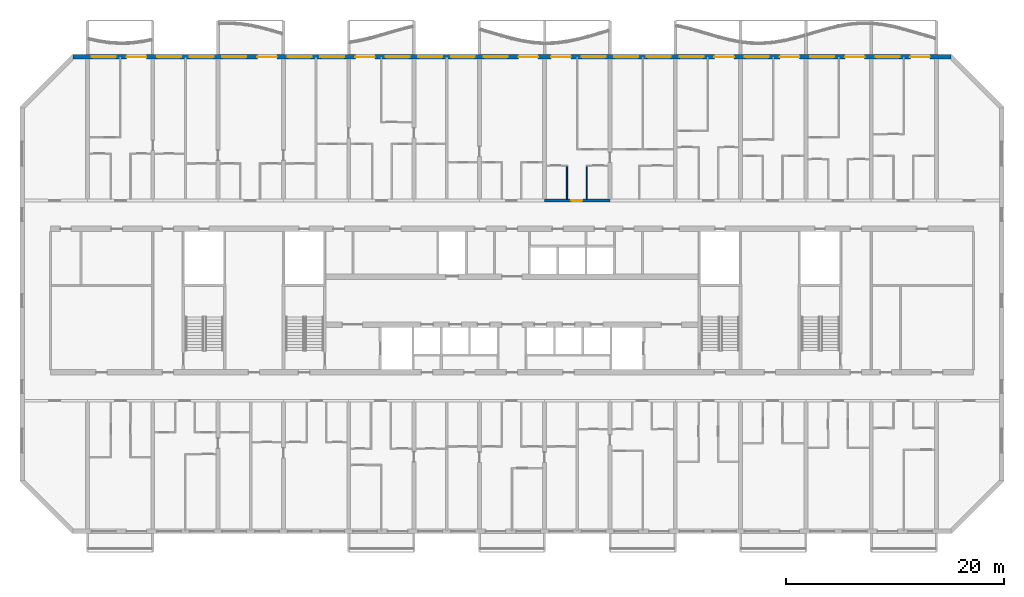
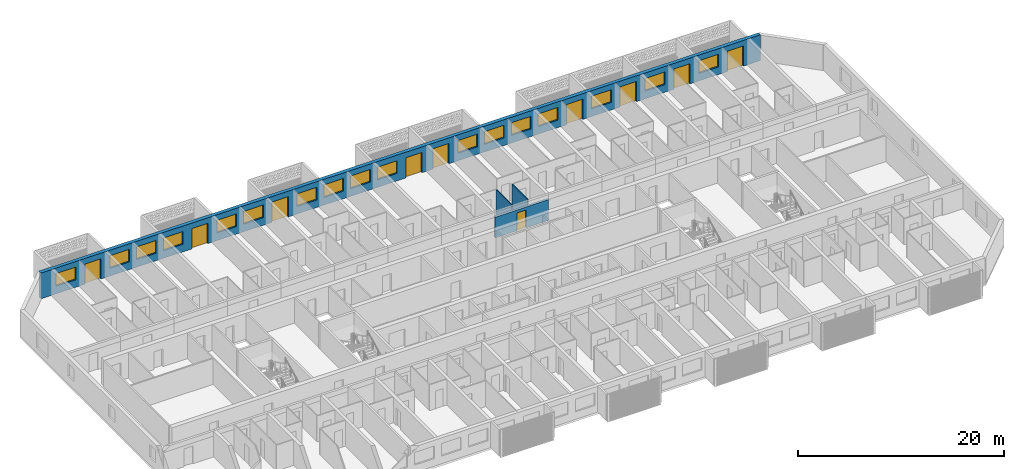
# One storey, part 12 of 26: 17 windows, 10 doors, 4 walls, 27 openings.
"""IFC4 building model written with IfcOpenShell, lengths in metres."""

from ifc_helpers import new_model, si_unit, direction, frame, frame_2d, origin, place, context, subcontext, project, spatial, rectangle, extrude, material, layer, layer_set, type_object, element, fill, save


model = new_model("IFC4")

# Units and contexts
model_context = context("Model", 3, precision=1e-05, world=origin(), true_north=direction((0.0, 1.0)))
body_context = subcontext(model_context, "Body", "Model", "MODEL_VIEW")
ifc_project = project(units=[si_unit("LENGTHUNIT", "METRE"), si_unit("AREAUNIT", "SQUARE_METRE"), si_unit("VOLUMEUNIT", "CUBIC_METRE"), si_unit("PLANEANGLEUNIT", "RADIAN"), si_unit("MASSUNIT", "GRAM", prefix="KILO")], contexts=[model_context])

# Site, building, storey
site_placement = place(None, origin())
site = spatial("IfcSite", under=ifc_project, at=site_placement, CompositionType="ELEMENT")
building_placement = place(site_placement, origin())
building = spatial("IfcBuilding", under=site, at=building_placement, Name="Poui Terraces", CompositionType="ELEMENT")
storey_placement = place(building_placement, frame((0.0, 0.0, 96.0)))
storey = spatial("IfcBuildingStorey", under=building, at=storey_placement, Name="L26", CompositionType="ELEMENT", Elevation=96.0)

# Wall, opening, door
ifc_material_1 = material(Name="Concrete 65 MPa", Category="concrete")
ifc_layer_1 = layer(ifc_material_1, 0.25)
ifc_layer_set_1 = layer_set([ifc_layer_1], Name="Concrete 65 MPa")
wall_type_1 = type_object("IfcWallType", Name="CORRIDOR WALL 250 65MPa", PredefinedType="SHEAR", material=ifc_layer_set_1)
wall_1_placement = place(storey_placement, frame((54.0, 30.39990234375, 0.0), z_axis=(0.0, 0.0, 1.0), x_axis=(1.0, 0.0, 0.0)))
wall_1 = element("IfcWall", 1, at=wall_1_placement, inside=storey, type_object=wall_type_1, Name="CORRIDOR WALL LINE E BAY 9", PredefinedType="SHEAR", context=body_context, shape_type="SweptSolid", body=[
    extrude(rectangle(XDim=6.0, YDim=0.25, at=frame_2d((3.0, 0.0))), origin(), (0.0, 0.0, 1.0), 2.4599609375),
])
opening_1_placement = place(wall_1_placement, frame((2.449951171875, 0.0, 0.0)))
opening_1 = element("IfcOpeningElement", 2, at=opening_1_placement, cuts=wall_1, Name="Opening FD30S", PredefinedType="OPENING", context=body_context, shape_type="SweptSolid", body=[
    extrude(rectangle(XDim=1.0, YDim=2.10009765625, at=frame_2d((0.5, 1.050048828125))), frame((0.0, 0.135009765625, 0.0), z_axis=(0.0, -1.0, 0.0), x_axis=(1.0, 0.0, 0.0)), (0.0, 0.0, 1.0), 0.27001953125),
])
ifc_material_2 = material(Name="Steel fire door", Category="steel")
door_type_1 = type_object("IfcDoorType", Name="FLAT ENTRANCE DOOR 1000 X 2100", OperationType="NOTDEFINED", PredefinedType="DOOR", material=ifc_material_2)
door_1_placement = place(opening_1_placement, origin())
door_1 = element("IfcDoor", 3, at=door_1_placement, inside=storey, type_object=door_type_1, Name="FLAT ENTRANCE DOOR 062", OperationType="SINGLE_SWING_LEFT", OverallHeight=2.10009765625, OverallWidth=1.0, PredefinedType="DOOR", context=body_context, shape_type="SweptSolid", body=[
    extrude(rectangle(XDim=1.0, YDim=2.10009765625, at=frame_2d((0.5, 1.050048828125))), frame((0.0, 0.02490234375, 0.0), z_axis=(0.0, -1.0, 0.0), x_axis=(1.0, 0.0, 0.0)), (0.0, 0.0, 1.0), 0.050048828125),
])
fill(opening_1, door_1)

# Wall, openings, doors, windows
ifc_material_3 = material(Name="Precast concrete 40 MPa", Category="concrete")
ifc_layer_2 = layer(ifc_material_3, 0.39990234375)
ifc_layer_set_2 = layer_set([ifc_layer_2], Name="Precast concrete 40 MPa")
wall_type_2 = type_object("IfcWallType", Name="EXTERNAL WALL 400", PredefinedType="STANDARD", material=ifc_layer_set_2)
wall_2_placement = place(storey_placement, frame((91.317138671875, 43.60009765625, 0.0), z_axis=(0.0, 0.0, 1.0), x_axis=(-1.0, 0.0, 0.0)))
wall_2 = element("IfcWall", 4, at=wall_2_placement, inside=storey, type_object=wall_type_2, Name="EXTERNAL WALL N", PredefinedType="STANDARD", context=body_context, shape_type="SweptSolid", body=[
    extrude(rectangle(XDim=80.63427734375, YDim=0.39990234375, at=frame_2d((40.317138671875, 0.0))), origin(), (0.0, 0.0, 1.0), 3.06005859375),
])
opening_2_placement = place(wall_2_placement, frame((76.71728515625, 0.0, 0.89990234375)))
opening_2 = element("IfcOpeningElement", 5, at=opening_2_placement, cuts=wall_2, Name="Opening W1", PredefinedType="OPENING", context=body_context, shape_type="SweptSolid", body=[
    extrude(rectangle(XDim=2.199951171875, YDim=1.5, at=frame_2d((1.10009765625, 0.75))), frame((0.0, 0.2099609375, 0.0), z_axis=(0.0, -1.0, 0.0), x_axis=(1.0, 0.0, 0.0)), (0.0, 0.0, 1.0), 0.419921875),
])
opening_3_placement = place(wall_2_placement, frame((73.917236328125, 0.0, 0.0)))
opening_3 = element("IfcOpeningElement", 6, at=opening_3_placement, cuts=wall_2, Name="Opening BD1", PredefinedType="OPENING", context=body_context, shape_type="SweptSolid", body=[
    extrude(rectangle(XDim=1.800048828125, YDim=2.39990234375, at=frame_2d((0.89990234375, 1.199951171875))), frame((0.0, 0.2099609375, 0.0), z_axis=(0.0, -1.0, 0.0), x_axis=(1.0, 0.0, 0.0)), (0.0, 0.0, 1.0), 0.419921875),
])
opening_4_placement = place(wall_2_placement, frame((70.71728515625, 0.0, 0.89990234375)))
opening_4 = element("IfcOpeningElement", 7, at=opening_4_placement, cuts=wall_2, Name="Opening W1", PredefinedType="OPENING", context=body_context, shape_type="SweptSolid", body=[
    extrude(rectangle(XDim=2.199951171875, YDim=1.5, at=frame_2d((1.10009765625, 0.75))), frame((0.0, 0.2099609375, 0.0), z_axis=(0.0, -1.0, 0.0), x_axis=(1.0, 0.0, 0.0)), (0.0, 0.0, 1.0), 0.419921875),
])
opening_5_placement = place(wall_2_placement, frame((67.71728515625, 0.0, 0.89990234375)))
opening_5 = element("IfcOpeningElement", 8, at=opening_5_placement, cuts=wall_2, Name="Opening W1", PredefinedType="OPENING", context=body_context, shape_type="SweptSolid", body=[
    extrude(rectangle(XDim=2.199951171875, YDim=1.5, at=frame_2d((1.10009765625, 0.75))), frame((0.0, 0.2099609375, 0.0), z_axis=(0.0, -1.0, 0.0), x_axis=(1.0, 0.0, 0.0)), (0.0, 0.0, 1.0), 0.419921875),
])
opening_6_placement = place(wall_2_placement, frame((64.71728515625, 0.0, 0.89990234375)))
opening_6 = element("IfcOpeningElement", 9, at=opening_6_placement, cuts=wall_2, Name="Opening W1", PredefinedType="OPENING", context=body_context, shape_type="SweptSolid", body=[
    extrude(rectangle(XDim=2.199951171875, YDim=1.5, at=frame_2d((1.10009765625, 0.75))), frame((0.0, 0.2099609375, 0.0), z_axis=(0.0, -1.0, 0.0), x_axis=(1.0, 0.0, 0.0)), (0.0, 0.0, 1.0), 0.419921875),
])
opening_7_placement = place(wall_2_placement, frame((61.917236328125, 0.0, 0.0)))
opening_7 = element("IfcOpeningElement", 10, at=opening_7_placement, cuts=wall_2, Name="Opening BD1", PredefinedType="OPENING", context=body_context, shape_type="SweptSolid", body=[
    extrude(rectangle(XDim=1.800048828125, YDim=2.39990234375, at=frame_2d((0.89990234375, 1.199951171875))), frame((0.0, 0.2099609375, 0.0), z_axis=(0.0, -1.0, 0.0), x_axis=(1.0, 0.0, 0.0)), (0.0, 0.0, 1.0), 0.419921875),
])
opening_8_placement = place(wall_2_placement, frame((58.71728515625, 0.0, 0.89990234375)))
opening_8 = element("IfcOpeningElement", 11, at=opening_8_placement, cuts=wall_2, Name="Opening W1", PredefinedType="OPENING", context=body_context, shape_type="SweptSolid", body=[
    extrude(rectangle(XDim=2.199951171875, YDim=1.5, at=frame_2d((1.10009765625, 0.75))), frame((0.0, 0.2099609375, 0.0), z_axis=(0.0, -1.0, 0.0), x_axis=(1.0, 0.0, 0.0)), (0.0, 0.0, 1.0), 0.419921875),
])
opening_9_placement = place(wall_2_placement, frame((55.71728515625, 0.0, 0.89990234375)))
opening_9 = element("IfcOpeningElement", 12, at=opening_9_placement, cuts=wall_2, Name="Opening W1", PredefinedType="OPENING", context=body_context, shape_type="SweptSolid", body=[
    extrude(rectangle(XDim=2.199951171875, YDim=1.5, at=frame_2d((1.10009765625, 0.75))), frame((0.0, 0.2099609375, 0.0), z_axis=(0.0, -1.0, 0.0), x_axis=(1.0, 0.0, 0.0)), (0.0, 0.0, 1.0), 0.419921875),
])
opening_10_placement = place(wall_2_placement, frame((52.917236328125, 0.0, 0.0)))
opening_10 = element("IfcOpeningElement", 13, at=opening_10_placement, cuts=wall_2, Name="Opening BD1", PredefinedType="OPENING", context=body_context, shape_type="SweptSolid", body=[
    extrude(rectangle(XDim=1.800048828125, YDim=2.39990234375, at=frame_2d((0.89990234375, 1.199951171875))), frame((0.0, 0.2099609375, 0.0), z_axis=(0.0, -1.0, 0.0), x_axis=(1.0, 0.0, 0.0)), (0.0, 0.0, 1.0), 0.419921875),
])
opening_11_placement = place(wall_2_placement, frame((49.71728515625, 0.0, 0.89990234375)))
opening_11 = element("IfcOpeningElement", 14, at=opening_11_placement, cuts=wall_2, Name="Opening W1", PredefinedType="OPENING", context=body_context, shape_type="SweptSolid", body=[
    extrude(rectangle(XDim=2.199951171875, YDim=1.5, at=frame_2d((1.10009765625, 0.75))), frame((0.0, 0.2099609375, 0.0), z_axis=(0.0, -1.0, 0.0), x_axis=(1.0, 0.0, 0.0)), (0.0, 0.0, 1.0), 0.419921875),
])
opening_12_placement = place(wall_2_placement, frame((46.71728515625, 0.0, 0.89990234375)))
opening_12 = element("IfcOpeningElement", 15, at=opening_12_placement, cuts=wall_2, Name="Opening W1", PredefinedType="OPENING", context=body_context, shape_type="SweptSolid", body=[
    extrude(rectangle(XDim=2.199951171875, YDim=1.5, at=frame_2d((1.10009765625, 0.75))), frame((0.0, 0.2099609375, 0.0), z_axis=(0.0, -1.0, 0.0), x_axis=(1.0, 0.0, 0.0)), (0.0, 0.0, 1.0), 0.419921875),
])
opening_13_placement = place(wall_2_placement, frame((43.71728515625, 0.0, 0.89990234375)))
opening_13 = element("IfcOpeningElement", 16, at=opening_13_placement, cuts=wall_2, Name="Opening W1", PredefinedType="OPENING", context=body_context, shape_type="SweptSolid", body=[
    extrude(rectangle(XDim=2.199951171875, YDim=1.5, at=frame_2d((1.10009765625, 0.75))), frame((0.0, 0.2099609375, 0.0), z_axis=(0.0, -1.0, 0.0), x_axis=(1.0, 0.0, 0.0)), (0.0, 0.0, 1.0), 0.419921875),
])
opening_14_placement = place(wall_2_placement, frame((40.71728515625, 0.0, 0.89990234375)))
opening_14 = element("IfcOpeningElement", 17, at=opening_14_placement, cuts=wall_2, Name="Opening W1", PredefinedType="OPENING", context=body_context, shape_type="SweptSolid", body=[
    extrude(rectangle(XDim=2.199951171875, YDim=1.5, at=frame_2d((1.10009765625, 0.75))), frame((0.0, 0.2099609375, 0.0), z_axis=(0.0, -1.0, 0.0), x_axis=(1.0, 0.0, 0.0)), (0.0, 0.0, 1.0), 0.419921875),
])
opening_15_placement = place(wall_2_placement, frame((37.917236328125, 0.0, 0.0)))
opening_15 = element("IfcOpeningElement", 18, at=opening_15_placement, cuts=wall_2, Name="Opening BD1", PredefinedType="OPENING", context=body_context, shape_type="SweptSolid", body=[
    extrude(rectangle(XDim=1.800048828125, YDim=2.39990234375, at=frame_2d((0.89990234375, 1.199951171875))), frame((0.0, 0.2099609375, 0.0), z_axis=(0.0, -1.0, 0.0), x_axis=(1.0, 0.0, 0.0)), (0.0, 0.0, 1.0), 0.419921875),
])
opening_16_placement = place(wall_2_placement, frame((34.917236328125, 0.0, 0.0)))
opening_16 = element("IfcOpeningElement", 19, at=opening_16_placement, cuts=wall_2, Name="Opening BD1", PredefinedType="OPENING", context=body_context, shape_type="SweptSolid", body=[
    extrude(rectangle(XDim=1.800048828125, YDim=2.39990234375, at=frame_2d((0.89990234375, 1.199951171875))), frame((0.0, 0.2099609375, 0.0), z_axis=(0.0, -1.0, 0.0), x_axis=(1.0, 0.0, 0.0)), (0.0, 0.0, 1.0), 0.419921875),
])
opening_17_placement = place(wall_2_placement, frame((31.71728515625, 0.0, 0.89990234375)))
opening_17 = element("IfcOpeningElement", 20, at=opening_17_placement, cuts=wall_2, Name="Opening W1", PredefinedType="OPENING", context=body_context, shape_type="SweptSolid", body=[
    extrude(rectangle(XDim=2.199951171875, YDim=1.5, at=frame_2d((1.10009765625, 0.75))), frame((0.0, 0.2099609375, 0.0), z_axis=(0.0, -1.0, 0.0), x_axis=(1.0, 0.0, 0.0)), (0.0, 0.0, 1.0), 0.419921875),
])
opening_18_placement = place(wall_2_placement, frame((28.71728515625, 0.0, 0.89990234375)))
opening_18 = element("IfcOpeningElement", 21, at=opening_18_placement, cuts=wall_2, Name="Opening W1", PredefinedType="OPENING", context=body_context, shape_type="SweptSolid", body=[
    extrude(rectangle(XDim=2.199951171875, YDim=1.5, at=frame_2d((1.10009765625, 0.75))), frame((0.0, 0.2099609375, 0.0), z_axis=(0.0, -1.0, 0.0), x_axis=(1.0, 0.0, 0.0)), (0.0, 0.0, 1.0), 0.419921875),
])
opening_19_placement = place(wall_2_placement, frame((25.71728515625, 0.0, 0.89990234375)))
opening_19 = element("IfcOpeningElement", 22, at=opening_19_placement, cuts=wall_2, Name="Opening W1", PredefinedType="OPENING", context=body_context, shape_type="SweptSolid", body=[
    extrude(rectangle(XDim=2.199951171875, YDim=1.5, at=frame_2d((1.10009765625, 0.75))), frame((0.0, 0.2099609375, 0.0), z_axis=(0.0, -1.0, 0.0), x_axis=(1.0, 0.0, 0.0)), (0.0, 0.0, 1.0), 0.419921875),
])
opening_20_placement = place(wall_2_placement, frame((22.71728515625, 0.0, 0.89990234375)))
opening_20 = element("IfcOpeningElement", 23, at=opening_20_placement, cuts=wall_2, Name="Opening W1", PredefinedType="OPENING", context=body_context, shape_type="SweptSolid", body=[
    extrude(rectangle(XDim=2.199951171875, YDim=1.5, at=frame_2d((1.10009765625, 0.75))), frame((0.0, 0.2099609375, 0.0), z_axis=(0.0, -1.0, 0.0), x_axis=(1.0, 0.0, 0.0)), (0.0, 0.0, 1.0), 0.419921875),
])
opening_21_placement = place(wall_2_placement, frame((19.917236328125, 0.0, 0.0)))
opening_21 = element("IfcOpeningElement", 24, at=opening_21_placement, cuts=wall_2, Name="Opening BD1", PredefinedType="OPENING", context=body_context, shape_type="SweptSolid", body=[
    extrude(rectangle(XDim=1.800048828125, YDim=2.39990234375, at=frame_2d((0.89990234375, 1.199951171875))), frame((0.0, 0.2099609375, 0.0), z_axis=(0.0, -1.0, 0.0), x_axis=(1.0, 0.0, 0.0)), (0.0, 0.0, 1.0), 0.419921875),
])
opening_22_placement = place(wall_2_placement, frame((16.71728515625, 0.0, 0.89990234375)))
opening_22 = element("IfcOpeningElement", 25, at=opening_22_placement, cuts=wall_2, Name="Opening W1", PredefinedType="OPENING", context=body_context, shape_type="SweptSolid", body=[
    extrude(rectangle(XDim=2.199951171875, YDim=1.5, at=frame_2d((1.10009765625, 0.75))), frame((0.0, 0.2099609375, 0.0), z_axis=(0.0, -1.0, 0.0), x_axis=(1.0, 0.0, 0.0)), (0.0, 0.0, 1.0), 0.419921875),
])
opening_23_placement = place(wall_2_placement, frame((13.917236328125, 0.0, 0.0)))
opening_23 = element("IfcOpeningElement", 26, at=opening_23_placement, cuts=wall_2, Name="Opening BD1", PredefinedType="OPENING", context=body_context, shape_type="SweptSolid", body=[
    extrude(rectangle(XDim=1.800048828125, YDim=2.39990234375, at=frame_2d((0.89990234375, 1.199951171875))), frame((0.0, 0.2099609375, 0.0), z_axis=(0.0, -1.0, 0.0), x_axis=(1.0, 0.0, 0.0)), (0.0, 0.0, 1.0), 0.419921875),
])
opening_24_placement = place(wall_2_placement, frame((10.71728515625, 0.0, 0.89990234375)))
opening_24 = element("IfcOpeningElement", 27, at=opening_24_placement, cuts=wall_2, Name="Opening W1", PredefinedType="OPENING", context=body_context, shape_type="SweptSolid", body=[
    extrude(rectangle(XDim=2.199951171875, YDim=1.5, at=frame_2d((1.10009765625, 0.75))), frame((0.0, 0.2099609375, 0.0), z_axis=(0.0, -1.0, 0.0), x_axis=(1.0, 0.0, 0.0)), (0.0, 0.0, 1.0), 0.419921875),
])
opening_25_placement = place(wall_2_placement, frame((7.917236328125, 0.0, 0.0)))
opening_25 = element("IfcOpeningElement", 28, at=opening_25_placement, cuts=wall_2, Name="Opening BD1", PredefinedType="OPENING", context=body_context, shape_type="SweptSolid", body=[
    extrude(rectangle(XDim=1.800048828125, YDim=2.39990234375, at=frame_2d((0.89990234375, 1.199951171875))), frame((0.0, 0.2099609375, 0.0), z_axis=(0.0, -1.0, 0.0), x_axis=(1.0, 0.0, 0.0)), (0.0, 0.0, 1.0), 0.419921875),
])
opening_26_placement = place(wall_2_placement, frame((4.71728515625, 0.0, 0.89990234375)))
opening_26 = element("IfcOpeningElement", 29, at=opening_26_placement, cuts=wall_2, Name="Opening W1", PredefinedType="OPENING", context=body_context, shape_type="SweptSolid", body=[
    extrude(rectangle(XDim=2.199951171875, YDim=1.5, at=frame_2d((1.10009765625, 0.75))), frame((0.0, 0.2099609375, 0.0), z_axis=(0.0, -1.0, 0.0), x_axis=(1.0, 0.0, 0.0)), (0.0, 0.0, 1.0), 0.419921875),
])
opening_27_placement = place(wall_2_placement, frame((1.917236328125, 0.0, 0.0)))
opening_27 = element("IfcOpeningElement", 30, at=opening_27_placement, cuts=wall_2, Name="Opening BD1", PredefinedType="OPENING", context=body_context, shape_type="SweptSolid", body=[
    extrude(rectangle(XDim=1.800048828125, YDim=2.39990234375, at=frame_2d((0.89990234375, 1.199951171875))), frame((0.0, 0.2099609375, 0.0), z_axis=(0.0, -1.0, 0.0), x_axis=(1.0, 0.0, 0.0)), (0.0, 0.0, 1.0), 0.419921875),
])
ifc_material_4 = material(Name="Clear glass in aluminium frame", Category="aluminium")
door_type_2 = type_object("IfcDoorType", Name="BALCONY DOOR 1800X2400", OperationType="DOUBLE_DOOR_SLIDING", PredefinedType="DOOR", material=ifc_material_4)
door_2_placement = place(opening_3_placement, origin())
door_2 = element("IfcDoor", 31, at=door_2_placement, inside=storey, type_object=door_type_2, Name="BD1 BALCONY DOOR", OperationType="DOUBLE_DOOR_SLIDING", OverallHeight=2.39990234375, OverallWidth=1.800048828125, PredefinedType="DOOR", context=body_context, shape_type="SweptSolid", body=[
    extrude(rectangle(XDim=1.800048828125, YDim=2.39990234375, at=frame_2d((0.89990234375, 1.199951171875))), frame((0.0, 0.02490234375, 0.0), z_axis=(0.0, -1.0, 0.0), x_axis=(1.0, 0.0, 0.0)), (0.0, 0.0, 1.0), 0.050048828125),
])
fill(opening_3, door_2)
door_3_placement = place(opening_7_placement, origin())
door_3 = element("IfcDoor", 32, at=door_3_placement, inside=storey, type_object=door_type_2, Name="BD1 BALCONY DOOR", OperationType="DOUBLE_DOOR_SLIDING", OverallHeight=2.39990234375, OverallWidth=1.800048828125, PredefinedType="DOOR", context=body_context, shape_type="SweptSolid", body=[
    extrude(rectangle(XDim=1.800048828125, YDim=2.39990234375, at=frame_2d((0.89990234375, 1.199951171875))), frame((0.0, 0.02490234375, 0.0), z_axis=(0.0, -1.0, 0.0), x_axis=(1.0, 0.0, 0.0)), (0.0, 0.0, 1.0), 0.050048828125),
])
fill(opening_7, door_3)
door_4_placement = place(opening_10_placement, origin())
door_4 = element("IfcDoor", 33, at=door_4_placement, inside=storey, type_object=door_type_2, Name="BD1 BALCONY DOOR", OperationType="DOUBLE_DOOR_SLIDING", OverallHeight=2.39990234375, OverallWidth=1.800048828125, PredefinedType="DOOR", context=body_context, shape_type="SweptSolid", body=[
    extrude(rectangle(XDim=1.800048828125, YDim=2.39990234375, at=frame_2d((0.89990234375, 1.199951171875))), frame((0.0, 0.02490234375, 0.0), z_axis=(0.0, -1.0, 0.0), x_axis=(1.0, 0.0, 0.0)), (0.0, 0.0, 1.0), 0.050048828125),
])
fill(opening_10, door_4)
door_5_placement = place(opening_15_placement, origin())
door_5 = element("IfcDoor", 34, at=door_5_placement, inside=storey, type_object=door_type_2, Name="BD1 BALCONY DOOR", OperationType="DOUBLE_DOOR_SLIDING", OverallHeight=2.39990234375, OverallWidth=1.800048828125, PredefinedType="DOOR", context=body_context, shape_type="SweptSolid", body=[
    extrude(rectangle(XDim=1.800048828125, YDim=2.39990234375, at=frame_2d((0.89990234375, 1.199951171875))), frame((0.0, 0.02490234375, 0.0), z_axis=(0.0, -1.0, 0.0), x_axis=(1.0, 0.0, 0.0)), (0.0, 0.0, 1.0), 0.050048828125),
])
fill(opening_15, door_5)
door_6_placement = place(opening_16_placement, origin())
door_6 = element("IfcDoor", 35, at=door_6_placement, inside=storey, type_object=door_type_2, Name="BD1 BALCONY DOOR", OperationType="DOUBLE_DOOR_SLIDING", OverallHeight=2.39990234375, OverallWidth=1.800048828125, PredefinedType="DOOR", context=body_context, shape_type="SweptSolid", body=[
    extrude(rectangle(XDim=1.800048828125, YDim=2.39990234375, at=frame_2d((0.89990234375, 1.199951171875))), frame((0.0, 0.02490234375, 0.0), z_axis=(0.0, -1.0, 0.0), x_axis=(1.0, 0.0, 0.0)), (0.0, 0.0, 1.0), 0.050048828125),
])
fill(opening_16, door_6)
door_7_placement = place(opening_21_placement, origin())
door_7 = element("IfcDoor", 36, at=door_7_placement, inside=storey, type_object=door_type_2, Name="BD1 BALCONY DOOR", OperationType="DOUBLE_DOOR_SLIDING", OverallHeight=2.39990234375, OverallWidth=1.800048828125, PredefinedType="DOOR", context=body_context, shape_type="SweptSolid", body=[
    extrude(rectangle(XDim=1.800048828125, YDim=2.39990234375, at=frame_2d((0.89990234375, 1.199951171875))), frame((0.0, 0.02490234375, 0.0), z_axis=(0.0, -1.0, 0.0), x_axis=(1.0, 0.0, 0.0)), (0.0, 0.0, 1.0), 0.050048828125),
])
fill(opening_21, door_7)
door_8_placement = place(opening_23_placement, origin())
door_8 = element("IfcDoor", 37, at=door_8_placement, inside=storey, type_object=door_type_2, Name="BD1 BALCONY DOOR", OperationType="DOUBLE_DOOR_SLIDING", OverallHeight=2.39990234375, OverallWidth=1.800048828125, PredefinedType="DOOR", context=body_context, shape_type="SweptSolid", body=[
    extrude(rectangle(XDim=1.800048828125, YDim=2.39990234375, at=frame_2d((0.89990234375, 1.199951171875))), frame((0.0, 0.02490234375, 0.0), z_axis=(0.0, -1.0, 0.0), x_axis=(1.0, 0.0, 0.0)), (0.0, 0.0, 1.0), 0.050048828125),
])
fill(opening_23, door_8)
door_9_placement = place(opening_25_placement, origin())
door_9 = element("IfcDoor", 38, at=door_9_placement, inside=storey, type_object=door_type_2, Name="BD1 BALCONY DOOR", OperationType="DOUBLE_DOOR_SLIDING", OverallHeight=2.39990234375, OverallWidth=1.800048828125, PredefinedType="DOOR", context=body_context, shape_type="SweptSolid", body=[
    extrude(rectangle(XDim=1.800048828125, YDim=2.39990234375, at=frame_2d((0.89990234375, 1.199951171875))), frame((0.0, 0.02490234375, 0.0), z_axis=(0.0, -1.0, 0.0), x_axis=(1.0, 0.0, 0.0)), (0.0, 0.0, 1.0), 0.050048828125),
])
fill(opening_25, door_9)
door_10_placement = place(opening_27_placement, origin())
door_10 = element("IfcDoor", 39, at=door_10_placement, inside=storey, type_object=door_type_2, Name="BD1 BALCONY DOOR", OperationType="DOUBLE_DOOR_SLIDING", OverallHeight=2.39990234375, OverallWidth=1.800048828125, PredefinedType="DOOR", context=body_context, shape_type="SweptSolid", body=[
    extrude(rectangle(XDim=1.800048828125, YDim=2.39990234375, at=frame_2d((0.89990234375, 1.199951171875))), frame((0.0, 0.02490234375, 0.0), z_axis=(0.0, -1.0, 0.0), x_axis=(1.0, 0.0, 0.0)), (0.0, 0.0, 1.0), 0.050048828125),
])
fill(opening_27, door_10)
window_type = type_object("IfcWindowType", Name="WINDOW 2200X1500", PartitioningType="DOUBLE_PANEL_HORIZONTAL", PredefinedType="WINDOW", material=ifc_material_4)
window_1_placement = place(opening_2_placement, origin())
window_1 = element("IfcWindow", 40, at=window_1_placement, inside=storey, type_object=window_type, Name="W1 WINDOW", OverallHeight=1.5, OverallWidth=2.199951171875, PartitioningType="DOUBLE_PANEL_HORIZONTAL", PredefinedType="WINDOW", context=body_context, shape_type="SweptSolid", body=[
    extrude(rectangle(XDim=2.199951171875, YDim=1.5, at=frame_2d((1.10009765625, 0.75))), frame((0.0, 0.030029296875, 0.0), z_axis=(0.0, -1.0, 0.0), x_axis=(1.0, 0.0, 0.0)), (0.0, 0.0, 1.0), 0.06005859375),
])
fill(opening_2, window_1)
window_2_placement = place(opening_4_placement, origin())
window_2 = element("IfcWindow", 41, at=window_2_placement, inside=storey, type_object=window_type, Name="W1 WINDOW", OverallHeight=1.5, OverallWidth=2.199951171875, PartitioningType="DOUBLE_PANEL_HORIZONTAL", PredefinedType="WINDOW", context=body_context, shape_type="SweptSolid", body=[
    extrude(rectangle(XDim=2.199951171875, YDim=1.5, at=frame_2d((1.10009765625, 0.75))), frame((0.0, 0.030029296875, 0.0), z_axis=(0.0, -1.0, 0.0), x_axis=(1.0, 0.0, 0.0)), (0.0, 0.0, 1.0), 0.06005859375),
])
fill(opening_4, window_2)
window_3_placement = place(opening_5_placement, origin())
window_3 = element("IfcWindow", 42, at=window_3_placement, inside=storey, type_object=window_type, Name="W1 WINDOW", OverallHeight=1.5, OverallWidth=2.199951171875, PartitioningType="DOUBLE_PANEL_HORIZONTAL", PredefinedType="WINDOW", context=body_context, shape_type="SweptSolid", body=[
    extrude(rectangle(XDim=2.199951171875, YDim=1.5, at=frame_2d((1.10009765625, 0.75))), frame((0.0, 0.030029296875, 0.0), z_axis=(0.0, -1.0, 0.0), x_axis=(1.0, 0.0, 0.0)), (0.0, 0.0, 1.0), 0.06005859375),
])
fill(opening_5, window_3)
window_4_placement = place(opening_6_placement, origin())
window_4 = element("IfcWindow", 43, at=window_4_placement, inside=storey, type_object=window_type, Name="W1 WINDOW", OverallHeight=1.5, OverallWidth=2.199951171875, PartitioningType="DOUBLE_PANEL_HORIZONTAL", PredefinedType="WINDOW", context=body_context, shape_type="SweptSolid", body=[
    extrude(rectangle(XDim=2.199951171875, YDim=1.5, at=frame_2d((1.10009765625, 0.75))), frame((0.0, 0.030029296875, 0.0), z_axis=(0.0, -1.0, 0.0), x_axis=(1.0, 0.0, 0.0)), (0.0, 0.0, 1.0), 0.06005859375),
])
fill(opening_6, window_4)
window_5_placement = place(opening_8_placement, origin())
window_5 = element("IfcWindow", 44, at=window_5_placement, inside=storey, type_object=window_type, Name="W1 WINDOW", OverallHeight=1.5, OverallWidth=2.199951171875, PartitioningType="DOUBLE_PANEL_HORIZONTAL", PredefinedType="WINDOW", context=body_context, shape_type="SweptSolid", body=[
    extrude(rectangle(XDim=2.199951171875, YDim=1.5, at=frame_2d((1.10009765625, 0.75))), frame((0.0, 0.030029296875, 0.0), z_axis=(0.0, -1.0, 0.0), x_axis=(1.0, 0.0, 0.0)), (0.0, 0.0, 1.0), 0.06005859375),
])
fill(opening_8, window_5)
window_6_placement = place(opening_9_placement, origin())
window_6 = element("IfcWindow", 45, at=window_6_placement, inside=storey, type_object=window_type, Name="W1 WINDOW", OverallHeight=1.5, OverallWidth=2.199951171875, PartitioningType="DOUBLE_PANEL_HORIZONTAL", PredefinedType="WINDOW", context=body_context, shape_type="SweptSolid", body=[
    extrude(rectangle(XDim=2.199951171875, YDim=1.5, at=frame_2d((1.10009765625, 0.75))), frame((0.0, 0.030029296875, 0.0), z_axis=(0.0, -1.0, 0.0), x_axis=(1.0, 0.0, 0.0)), (0.0, 0.0, 1.0), 0.06005859375),
])
fill(opening_9, window_6)
window_7_placement = place(opening_11_placement, origin())
window_7 = element("IfcWindow", 46, at=window_7_placement, inside=storey, type_object=window_type, Name="W1 WINDOW", OverallHeight=1.5, OverallWidth=2.199951171875, PartitioningType="DOUBLE_PANEL_HORIZONTAL", PredefinedType="WINDOW", context=body_context, shape_type="SweptSolid", body=[
    extrude(rectangle(XDim=2.199951171875, YDim=1.5, at=frame_2d((1.10009765625, 0.75))), frame((0.0, 0.030029296875, 0.0), z_axis=(0.0, -1.0, 0.0), x_axis=(1.0, 0.0, 0.0)), (0.0, 0.0, 1.0), 0.06005859375),
])
fill(opening_11, window_7)
window_8_placement = place(opening_12_placement, origin())
window_8 = element("IfcWindow", 47, at=window_8_placement, inside=storey, type_object=window_type, Name="W1 WINDOW", OverallHeight=1.5, OverallWidth=2.199951171875, PartitioningType="DOUBLE_PANEL_HORIZONTAL", PredefinedType="WINDOW", context=body_context, shape_type="SweptSolid", body=[
    extrude(rectangle(XDim=2.199951171875, YDim=1.5, at=frame_2d((1.10009765625, 0.75))), frame((0.0, 0.030029296875, 0.0), z_axis=(0.0, -1.0, 0.0), x_axis=(1.0, 0.0, 0.0)), (0.0, 0.0, 1.0), 0.06005859375),
])
fill(opening_12, window_8)
window_9_placement = place(opening_13_placement, origin())
window_9 = element("IfcWindow", 48, at=window_9_placement, inside=storey, type_object=window_type, Name="W1 WINDOW", OverallHeight=1.5, OverallWidth=2.199951171875, PartitioningType="DOUBLE_PANEL_HORIZONTAL", PredefinedType="WINDOW", context=body_context, shape_type="SweptSolid", body=[
    extrude(rectangle(XDim=2.199951171875, YDim=1.5, at=frame_2d((1.10009765625, 0.75))), frame((0.0, 0.030029296875, 0.0), z_axis=(0.0, -1.0, 0.0), x_axis=(1.0, 0.0, 0.0)), (0.0, 0.0, 1.0), 0.06005859375),
])
fill(opening_13, window_9)
window_10_placement = place(opening_14_placement, origin())
window_10 = element("IfcWindow", 49, at=window_10_placement, inside=storey, type_object=window_type, Name="W1 WINDOW", OverallHeight=1.5, OverallWidth=2.199951171875, PartitioningType="DOUBLE_PANEL_HORIZONTAL", PredefinedType="WINDOW", context=body_context, shape_type="SweptSolid", body=[
    extrude(rectangle(XDim=2.199951171875, YDim=1.5, at=frame_2d((1.10009765625, 0.75))), frame((0.0, 0.030029296875, 0.0), z_axis=(0.0, -1.0, 0.0), x_axis=(1.0, 0.0, 0.0)), (0.0, 0.0, 1.0), 0.06005859375),
])
fill(opening_14, window_10)
window_11_placement = place(opening_17_placement, origin())
window_11 = element("IfcWindow", 50, at=window_11_placement, inside=storey, type_object=window_type, Name="W1 WINDOW", OverallHeight=1.5, OverallWidth=2.199951171875, PartitioningType="DOUBLE_PANEL_HORIZONTAL", PredefinedType="WINDOW", context=body_context, shape_type="SweptSolid", body=[
    extrude(rectangle(XDim=2.199951171875, YDim=1.5, at=frame_2d((1.10009765625, 0.75))), frame((0.0, 0.030029296875, 0.0), z_axis=(0.0, -1.0, 0.0), x_axis=(1.0, 0.0, 0.0)), (0.0, 0.0, 1.0), 0.06005859375),
])
fill(opening_17, window_11)
window_12_placement = place(opening_18_placement, origin())
window_12 = element("IfcWindow", 51, at=window_12_placement, inside=storey, type_object=window_type, Name="W1 WINDOW", OverallHeight=1.5, OverallWidth=2.199951171875, PartitioningType="DOUBLE_PANEL_HORIZONTAL", PredefinedType="WINDOW", context=body_context, shape_type="SweptSolid", body=[
    extrude(rectangle(XDim=2.199951171875, YDim=1.5, at=frame_2d((1.10009765625, 0.75))), frame((0.0, 0.030029296875, 0.0), z_axis=(0.0, -1.0, 0.0), x_axis=(1.0, 0.0, 0.0)), (0.0, 0.0, 1.0), 0.06005859375),
])
fill(opening_18, window_12)
window_13_placement = place(opening_19_placement, origin())
window_13 = element("IfcWindow", 52, at=window_13_placement, inside=storey, type_object=window_type, Name="W1 WINDOW", OverallHeight=1.5, OverallWidth=2.199951171875, PartitioningType="DOUBLE_PANEL_HORIZONTAL", PredefinedType="WINDOW", context=body_context, shape_type="SweptSolid", body=[
    extrude(rectangle(XDim=2.199951171875, YDim=1.5, at=frame_2d((1.10009765625, 0.75))), frame((0.0, 0.030029296875, 0.0), z_axis=(0.0, -1.0, 0.0), x_axis=(1.0, 0.0, 0.0)), (0.0, 0.0, 1.0), 0.06005859375),
])
fill(opening_19, window_13)
window_14_placement = place(opening_20_placement, origin())
window_14 = element("IfcWindow", 53, at=window_14_placement, inside=storey, type_object=window_type, Name="W1 WINDOW", OverallHeight=1.5, OverallWidth=2.199951171875, PartitioningType="DOUBLE_PANEL_HORIZONTAL", PredefinedType="WINDOW", context=body_context, shape_type="SweptSolid", body=[
    extrude(rectangle(XDim=2.199951171875, YDim=1.5, at=frame_2d((1.10009765625, 0.75))), frame((0.0, 0.030029296875, 0.0), z_axis=(0.0, -1.0, 0.0), x_axis=(1.0, 0.0, 0.0)), (0.0, 0.0, 1.0), 0.06005859375),
])
fill(opening_20, window_14)
window_15_placement = place(opening_22_placement, origin())
window_15 = element("IfcWindow", 54, at=window_15_placement, inside=storey, type_object=window_type, Name="W1 WINDOW", OverallHeight=1.5, OverallWidth=2.199951171875, PartitioningType="DOUBLE_PANEL_HORIZONTAL", PredefinedType="WINDOW", context=body_context, shape_type="SweptSolid", body=[
    extrude(rectangle(XDim=2.199951171875, YDim=1.5, at=frame_2d((1.10009765625, 0.75))), frame((0.0, 0.030029296875, 0.0), z_axis=(0.0, -1.0, 0.0), x_axis=(1.0, 0.0, 0.0)), (0.0, 0.0, 1.0), 0.06005859375),
])
fill(opening_22, window_15)
window_16_placement = place(opening_24_placement, origin())
window_16 = element("IfcWindow", 55, at=window_16_placement, inside=storey, type_object=window_type, Name="W1 WINDOW", OverallHeight=1.5, OverallWidth=2.199951171875, PartitioningType="DOUBLE_PANEL_HORIZONTAL", PredefinedType="WINDOW", context=body_context, shape_type="SweptSolid", body=[
    extrude(rectangle(XDim=2.199951171875, YDim=1.5, at=frame_2d((1.10009765625, 0.75))), frame((0.0, 0.030029296875, 0.0), z_axis=(0.0, -1.0, 0.0), x_axis=(1.0, 0.0, 0.0)), (0.0, 0.0, 1.0), 0.06005859375),
])
fill(opening_24, window_16)
window_17_placement = place(opening_26_placement, origin())
window_17 = element("IfcWindow", 56, at=window_17_placement, inside=storey, type_object=window_type, Name="W1 WINDOW", OverallHeight=1.5, OverallWidth=2.199951171875, PartitioningType="DOUBLE_PANEL_HORIZONTAL", PredefinedType="WINDOW", context=body_context, shape_type="SweptSolid", body=[
    extrude(rectangle(XDim=2.199951171875, YDim=1.5, at=frame_2d((1.10009765625, 0.75))), frame((0.0, 0.030029296875, 0.0), z_axis=(0.0, -1.0, 0.0), x_axis=(1.0, 0.0, 0.0)), (0.0, 0.0, 1.0), 0.06005859375),
])
fill(opening_26, window_17)

# Walls
ifc_material_5 = material(Name="Plasterboard partition")
ifc_layer_3 = layer(ifc_material_5, 0.10009765625)
ifc_layer_set_3 = layer_set([ifc_layer_3], Name="Plasterboard partition")
wall_type_3 = type_object("IfcWallType", Name="FLAT PARTITION 100", PredefinedType="PARTITIONING", material=ifc_layer_set_3)
for number, where, z_axis, x_axis, name in (
    (57, (56.050048828125, 30.534912109375, 0.0), (0.0, 0.0, 1.0), (0.0, 1.0, 0.0), "FLAT PARTITION 100"),
    (58, (57.85009765625, 30.534912109375, 0.0), (0.0, 0.0, 1.0), (0.0, 1.0, 0.0), "FLAT PARTITION 100"),
):
    element("IfcWall", number, at=place(storey_placement, frame(where, z_axis=z_axis, x_axis=x_axis)), inside=storey, type_object=wall_type_3, Name=name, PredefinedType="PARTITIONING", context=body_context, shape_type="SweptSolid", body=[
        extrude(rectangle(XDim=3.01513671875, YDim=0.10009765625, at=frame_2d((1.507568359375, 0.0))), origin(), (0.0, 0.0, 1.0), 3.06005859375),
    ])

save(model, "model.ifc")
